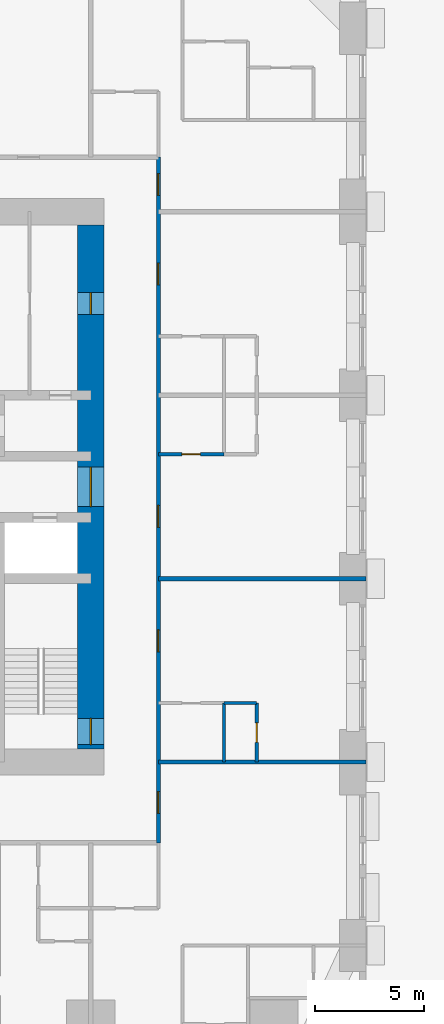
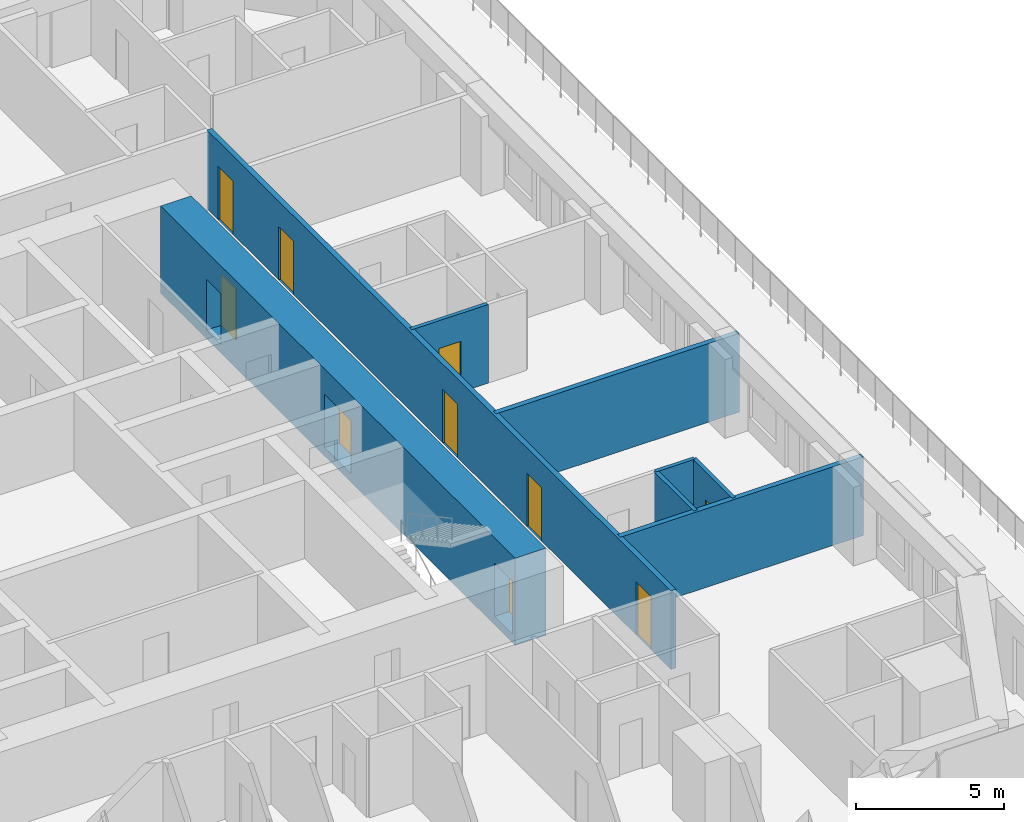
# One storey, part 10 of 16: 10 doors, 8 walls, 10 openings.
"""IFC4 building model written with IfcOpenShell, lengths in metres."""

from ifc_helpers import new_model, si_unit, direction, frame, frame_2d, origin, place, context, subcontext, project, spatial, rectangle, extrude, material, layer, layer_set, type_object, element, fill, save


model = new_model("IFC4")

# Units and contexts
model_context = context("Model", 3, precision=1e-05, world=origin(), true_north=direction((0.0, 1.0)))
body_context = subcontext(model_context, "Body", "Model", "MODEL_VIEW")
ifc_project = project(units=[si_unit("LENGTHUNIT", "METRE"), si_unit("AREAUNIT", "SQUARE_METRE"), si_unit("VOLUMEUNIT", "CUBIC_METRE"), si_unit("PLANEANGLEUNIT", "RADIAN"), si_unit("MASSUNIT", "GRAM", prefix="KILO")], contexts=[model_context])

# Site, building, storey
site_placement = place(None, origin())
site = spatial("IfcSite", under=ifc_project, at=site_placement, CompositionType="ELEMENT")
building_placement = place(site_placement, origin())
building = spatial("IfcBuilding", under=site, at=building_placement, Name="Dunama Terrace Hotel", CompositionType="ELEMENT")
storey_placement = place(building_placement, frame((0.0, 0.0, 93.60009765625)))
storey = spatial("IfcBuildingStorey", under=building, at=storey_placement, Name="L23", CompositionType="ELEMENT", Elevation=93.60009765625)

# Wall, opening, door
ifc_material_1 = material(Name="Gypsum board partition", Category="masonry")
ifc_layer_1 = layer(ifc_material_1, 0.14990234375)
ifc_layer_set_1 = layer_set([ifc_layer_1], Name="Bathroom partition 150")
wall_type_1 = type_object("IfcWallType", Name="Bathroom partition 150", PredefinedType="PARTITIONING", material=ifc_layer_set_1)
wall_1_placement = place(storey_placement, frame((45.10009765625, 30.89990234375, 0.0), z_axis=(0.0, 0.0, 1.0), x_axis=(1.0, 0.0, 0.0)))
wall_1 = element("IfcWall", 1, at=wall_1_placement, inside=storey, type_object=wall_type_1, Name="Bathroom partition 150 L23", PredefinedType="PARTITIONING", context=body_context, shape_type="SweptSolid", body=[
    extrude(rectangle(XDim=3.0, YDim=0.14990234375, at=frame_2d((1.5, 0.0))), origin(), (0.0, 0.0, 1.0), 3.25),
])
opening_1_placement = place(wall_1_placement, frame((1.074951171875, 0.0, 0.0)))
opening_1 = element("IfcOpeningElement", 2, at=opening_1_placement, cuts=wall_1, Name="Opening L23-044", PredefinedType="OPENING", context=body_context, shape_type="SweptSolid", body=[
    extrude(rectangle(XDim=0.85009765625, YDim=2.10009765625, at=frame_2d((0.425048828125, 1.050048828125))), frame((0.0, 0.0849609375, 0.0), z_axis=(0.0, -1.0, 0.0), x_axis=(1.0, 0.0, 0.0)), (0.0, 0.0, 1.0), 0.169921875),
])
ifc_material_2 = material(Name="Timber door with steel frame", Category="steel")
door_type_1 = type_object("IfcDoorType", Name="Bathroom door 850", OperationType="SINGLE_SWING_LEFT", PredefinedType="DOOR", material=ifc_material_2)
door_1_placement = place(opening_1_placement, origin())
door_1 = element("IfcDoor", 3, at=door_1_placement, inside=storey, type_object=door_type_1, Name="Door to en-suite bathroom L23-044, type D2", OperationType="SINGLE_SWING_LEFT", OverallHeight=2.10009765625, OverallWidth=0.85009765625, PredefinedType="DOOR", context=body_context, shape_type="SweptSolid", body=[
    extrude(rectangle(XDim=0.85009765625, YDim=2.10009765625, at=frame_2d((0.425048828125, 1.050048828125))), frame((0.0, 0.02490234375, 0.0), z_axis=(0.0, -1.0, 0.0), x_axis=(1.0, 0.0, 0.0)), (0.0, 0.0, 1.0), 0.050048828125),
])
fill(opening_1, door_1)

# Wall, openings, doors
ifc_material_3 = material(Name="Concrete C60/75", Category="concrete")
ifc_layer_2 = layer(ifc_material_3, 1.199951171875)
ifc_layer_set_2 = layer_set([ifc_layer_2], Name="Core wall 1200")
wall_type_2 = type_object("IfcWallType", Name="Core wall 1200", PredefinedType="SHEAR", material=ifc_layer_set_2)
wall_2_placement = place(storey_placement, frame((42.0, 17.39990234375, -0.35009765625), z_axis=(0.0, 0.0, 1.0), x_axis=(0.0, 1.0, 0.0)))
wall_2 = element("IfcWall", 4, at=wall_2_placement, inside=storey, type_object=wall_type_2, Name="Core wall east L23", PredefinedType="SHEAR", context=body_context, shape_type="SweptSolid", body=[
    extrude(rectangle(XDim=24.0, YDim=1.199951171875, at=frame_2d((12.0, 0.0))), origin(), (0.0, 0.0, 1.0), 3.60009765625),
])
opening_2_placement = place(wall_2_placement, frame((0.199951171875, 0.0, 0.35009765625)))
opening_2 = element("IfcOpeningElement", 5, at=opening_2_placement, cuts=wall_2, Name="Opening L23-016", PredefinedType="OPENING", context=body_context, shape_type="SweptSolid", body=[
    extrude(rectangle(XDim=1.199951171875, YDim=2.199951171875, at=frame_2d((0.60009765625, 1.10009765625))), frame((0.0, 0.60986328125, 0.0), z_axis=(0.0, -1.0, 0.0), x_axis=(1.0, 0.0, 0.0)), (0.0, 0.0, 1.0), 1.219970703125),
])
opening_3_placement = place(wall_2_placement, frame((11.10009765625, 0.0, 0.35009765625)))
opening_3 = element("IfcOpeningElement", 6, at=opening_3_placement, cuts=wall_2, Name="Opening L23-099", PredefinedType="OPENING", context=body_context, shape_type="SweptSolid", body=[
    extrude(rectangle(XDim=1.800048828125, YDim=2.199951171875, at=frame_2d((0.89990234375, 1.10009765625))), frame((0.0, 0.60986328125, 0.0), z_axis=(0.0, -1.0, 0.0), x_axis=(1.0, 0.0, 0.0)), (0.0, 0.0, 1.0), 1.219970703125),
])
opening_4_placement = place(wall_2_placement, frame((19.89990234375, 0.0, 0.35009765625)))
opening_4 = element("IfcOpeningElement", 7, at=opening_4_placement, cuts=wall_2, Name="Opening L23-101", PredefinedType="OPENING", context=body_context, shape_type="SweptSolid", body=[
    extrude(rectangle(XDim=1.0, YDim=2.10009765625, at=frame_2d((0.5, 1.050048828125))), frame((0.0, 0.60986328125, 0.0), z_axis=(0.0, -1.0, 0.0), x_axis=(1.0, 0.0, 0.0)), (0.0, 0.0, 1.0), 1.219970703125),
])
ifc_material_4 = material(Name="Timber door with steel frame", Category="steel")
door_type_2 = type_object("IfcDoorType", Name="Lift lobby double door 1800", OperationType="DOUBLE_DOOR_DOUBLE_SWING", PredefinedType="DOOR", material=ifc_material_4)
door_2_placement = place(opening_3_placement, origin())
door_2 = element("IfcDoor", 8, at=door_2_placement, inside=storey, type_object=door_type_2, Name="Door to lift lobby L23-099, type D3", OperationType="DOUBLE_DOOR_DOUBLE_SWING", OverallHeight=2.199951171875, OverallWidth=1.800048828125, PredefinedType="DOOR", context=body_context, shape_type="SweptSolid", body=[
    extrude(rectangle(XDim=1.800048828125, YDim=2.199951171875, at=frame_2d((0.89990234375, 1.10009765625))), frame((0.0, 0.02490234375, 0.0), z_axis=(0.0, -1.0, 0.0), x_axis=(1.0, 0.0, 0.0)), (0.0, 0.0, 1.0), 0.050048828125),
])
fill(opening_3, door_2)
ifc_material_5 = material(Name="Timber door with steel frame", Category="steel")
door_type_3 = type_object("IfcDoorType", Name="Service door 1000", OperationType="SINGLE_SWING_LEFT", PredefinedType="DOOR", material=ifc_material_5)
door_3_placement = place(opening_4_placement, origin())
door_3 = element("IfcDoor", 9, at=door_3_placement, inside=storey, type_object=door_type_3, Name="Door to housekeeping store L23-101, type D7", OperationType="SINGLE_SWING_LEFT", OverallHeight=2.10009765625, OverallWidth=1.0, PredefinedType="DOOR", context=body_context, shape_type="SweptSolid", body=[
    extrude(rectangle(XDim=1.0, YDim=2.10009765625, at=frame_2d((0.5, 1.050048828125))), frame((0.0, 0.02490234375, 0.0), z_axis=(0.0, -1.0, 0.0), x_axis=(1.0, 0.0, 0.0)), (0.0, 0.0, 1.0), 0.050048828125),
])
fill(opening_4, door_3)
ifc_material_6 = material(Name="Timber door with steel frame", Category="steel")
door_type_4 = type_object("IfcDoorType", Name="Stair door 1200", OperationType="SINGLE_SWING_LEFT", PredefinedType="DOOR", material=ifc_material_6)
door_4_placement = place(opening_2_placement, origin())
door_4 = element("IfcDoor", 10, at=door_4_placement, inside=storey, type_object=door_type_4, Name="Stair door ST2 L23-016, type D5", OperationType="SINGLE_SWING_LEFT", OverallHeight=2.199951171875, OverallWidth=1.199951171875, PredefinedType="DOOR", context=body_context, shape_type="SweptSolid", body=[
    extrude(rectangle(XDim=1.199951171875, YDim=2.199951171875, at=frame_2d((0.60009765625, 1.10009765625))), frame((0.0, 0.02490234375, 0.0), z_axis=(0.0, -1.0, 0.0), x_axis=(1.0, 0.0, 0.0)), (0.0, 0.0, 1.0), 0.050048828125),
])
fill(opening_2, door_4)

ifc_material_7 = material(Name="Concrete blockwork", Category="masonry")
ifc_layer_3 = layer(ifc_material_7, 0.199951171875)
ifc_layer_set_3 = layer_set([ifc_layer_3], Name="Corridor partition 200")
wall_type_3 = type_object("IfcWallType", Name="Corridor partition 200", PredefinedType="PARTITIONING", material=ifc_layer_set_3)
wall_3_placement = place(storey_placement, frame((45.10009765625, 44.5, 0.0), z_axis=(0.0, 0.0, 1.0), x_axis=(0.0, -1.0, 0.0)))
wall_3 = element("IfcWall", 11, at=wall_3_placement, inside=storey, type_object=wall_type_3, Name="Corridor partition 200 L23", PredefinedType="PARTITIONING", context=body_context, shape_type="SweptSolid", body=[
    extrude(rectangle(XDim=31.39990234375, YDim=0.199951171875, at=frame_2d((15.699951171875, 0.0))), origin(), (0.0, 0.0, 1.0), 3.25),
])
opening_5_placement = place(wall_3_placement, frame((21.64990234375, 0.0, 0.0)))
opening_5 = element("IfcOpeningElement", 12, at=opening_5_placement, cuts=wall_3, Name="Opening L23-040", PredefinedType="OPENING", context=body_context, shape_type="SweptSolid", body=[
    extrude(rectangle(XDim=1.0, YDim=2.199951171875, at=frame_2d((0.5, 1.10009765625))), frame((0.0, 0.10986328125, 0.0), z_axis=(0.0, -1.0, 0.0), x_axis=(1.0, 0.0, 0.0)), (0.0, 0.0, 1.0), 0.219970703125),
])
opening_6_placement = place(wall_3_placement, frame((15.949951171875, 0.0, 0.0)))
opening_6 = element("IfcOpeningElement", 13, at=opening_6_placement, cuts=wall_3, Name="Opening L23-043", PredefinedType="OPENING", context=body_context, shape_type="SweptSolid", body=[
    extrude(rectangle(XDim=1.0, YDim=2.199951171875, at=frame_2d((0.5, 1.10009765625))), frame((0.0, 0.10986328125, 0.0), z_axis=(0.0, -1.0, 0.0), x_axis=(1.0, 0.0, 0.0)), (0.0, 0.0, 1.0), 0.219970703125),
])
opening_7_placement = place(wall_3_placement, frame((4.85009765625, 0.0, 0.0)))
opening_7 = element("IfcOpeningElement", 14, at=opening_7_placement, cuts=wall_3, Name="Opening L23-046", PredefinedType="OPENING", context=body_context, shape_type="SweptSolid", body=[
    extrude(rectangle(XDim=1.0, YDim=2.199951171875, at=frame_2d((0.5, 1.10009765625))), frame((0.0, 0.10986328125, 0.0), z_axis=(0.0, -1.0, 0.0), x_axis=(1.0, 0.0, 0.0)), (0.0, 0.0, 1.0), 0.219970703125),
])
opening_8_placement = place(wall_3_placement, frame((29.050048828125, 0.0, 0.0)))
opening_8 = element("IfcOpeningElement", 15, at=opening_8_placement, cuts=wall_3, Name="Opening L23-077", PredefinedType="OPENING", context=body_context, shape_type="SweptSolid", body=[
    extrude(rectangle(XDim=1.0, YDim=2.199951171875, at=frame_2d((0.5, 1.10009765625))), frame((0.0, 0.10986328125, 0.0), z_axis=(0.0, -1.0, 0.0), x_axis=(1.0, 0.0, 0.0)), (0.0, 0.0, 1.0), 0.219970703125),
])
opening_9_placement = place(wall_3_placement, frame((0.75, 0.0, 0.0)))
opening_9 = element("IfcOpeningElement", 16, at=opening_9_placement, cuts=wall_3, Name="Opening L23-082", PredefinedType="OPENING", context=body_context, shape_type="SweptSolid", body=[
    extrude(rectangle(XDim=1.0, YDim=2.199951171875, at=frame_2d((0.5, 1.10009765625))), frame((0.0, 0.10986328125, 0.0), z_axis=(0.0, -1.0, 0.0), x_axis=(1.0, 0.0, 0.0)), (0.0, 0.0, 1.0), 0.219970703125),
])
ifc_material_8 = material(Name="Timber door with steel frame", Category="steel")
door_type_5 = type_object("IfcDoorType", Name="Guest room door 1000", OperationType="SINGLE_SWING_LEFT", PredefinedType="DOOR", material=ifc_material_8)
door_5_placement = place(opening_5_placement, origin())
door_5 = element("IfcDoor", 17, at=door_5_placement, inside=storey, type_object=door_type_5, Name="Door to terrace junior suite L23-040, type D1", OperationType="SINGLE_SWING_LEFT", OverallHeight=2.199951171875, OverallWidth=1.0, PredefinedType="DOOR", context=body_context, shape_type="SweptSolid", body=[
    extrude(rectangle(XDim=1.0, YDim=2.199951171875, at=frame_2d((0.5, 1.10009765625))), frame((0.0, 0.02490234375, 0.0), z_axis=(0.0, -1.0, 0.0), x_axis=(1.0, 0.0, 0.0)), (0.0, 0.0, 1.0), 0.050048828125),
])
fill(opening_5, door_5)
door_6_placement = place(opening_6_placement, origin())
door_6 = element("IfcDoor", 18, at=door_6_placement, inside=storey, type_object=door_type_5, Name="Door to terrace junior suite L23-043, type D1", OperationType="SINGLE_SWING_RIGHT", OverallHeight=2.199951171875, OverallWidth=1.0, PredefinedType="DOOR", context=body_context, shape_type="SweptSolid", body=[
    extrude(rectangle(XDim=1.0, YDim=2.199951171875, at=frame_2d((0.5, 1.10009765625))), frame((0.0, 0.02490234375, 0.0), z_axis=(0.0, -1.0, 0.0), x_axis=(1.0, 0.0, 0.0)), (0.0, 0.0, 1.0), 0.050048828125),
])
fill(opening_6, door_6)
door_7_placement = place(opening_7_placement, origin())
door_7 = element("IfcDoor", 19, at=door_7_placement, inside=storey, type_object=door_type_5, Name="Door to terrace junior suite L23-046, type D1", OperationType="SINGLE_SWING_LEFT", OverallHeight=2.199951171875, OverallWidth=1.0, PredefinedType="DOOR", context=body_context, shape_type="SweptSolid", body=[
    extrude(rectangle(XDim=1.0, YDim=2.199951171875, at=frame_2d((0.5, 1.10009765625))), frame((0.0, 0.02490234375, 0.0), z_axis=(0.0, -1.0, 0.0), x_axis=(1.0, 0.0, 0.0)), (0.0, 0.0, 1.0), 0.050048828125),
])
fill(opening_7, door_7)
door_8_placement = place(opening_8_placement, origin())
door_8 = element("IfcDoor", 20, at=door_8_placement, inside=storey, type_object=door_type_5, Name="Door to corner suite living room L23-077, type D1", OperationType="SINGLE_SWING_LEFT", OverallHeight=2.199951171875, OverallWidth=1.0, PredefinedType="DOOR", context=body_context, shape_type="SweptSolid", body=[
    extrude(rectangle(XDim=1.0, YDim=2.199951171875, at=frame_2d((0.5, 1.10009765625))), frame((0.0, 0.02490234375, 0.0), z_axis=(0.0, -1.0, 0.0), x_axis=(1.0, 0.0, 0.0)), (0.0, 0.0, 1.0), 0.050048828125),
])
fill(opening_8, door_8)
door_9_placement = place(opening_9_placement, origin())
door_9 = element("IfcDoor", 21, at=door_9_placement, inside=storey, type_object=door_type_5, Name="Door to corner suite living room L23-082, type D1", OperationType="SINGLE_SWING_LEFT", OverallHeight=2.199951171875, OverallWidth=1.0, PredefinedType="DOOR", context=body_context, shape_type="SweptSolid", body=[
    extrude(rectangle(XDim=1.0, YDim=2.199951171875, at=frame_2d((0.5, 1.10009765625))), frame((0.0, 0.02490234375, 0.0), z_axis=(0.0, -1.0, 0.0), x_axis=(1.0, 0.0, 0.0)), (0.0, 0.0, 1.0), 0.050048828125),
])
fill(opening_9, door_9)

# Walls
ifc_material_9 = material(Name="Concrete blockwork", Category="masonry")
ifc_layer_4 = layer(ifc_material_9, 0.199951171875)
ifc_layer_set_4 = layer_set([ifc_layer_4], Name="Party wall 200")
wall_type_4 = type_object("IfcWallType", Name="Party wall 200", PredefinedType="PARTITIONING", material=ifc_layer_set_4)
for number, where, z_axis, x_axis, name in (
    (22, (45.10009765625, 16.800048828125, 0.0), (0.0, 0.0, 1.0), (1.0, 0.0, 0.0), "Party wall 200 L23"),
    (23, (45.10009765625, 25.199951171875, 0.0), (0.0, 0.0, 1.0), (1.0, 0.0, 0.0), "Party wall 200 L23"),
):
    element("IfcWall", number, at=place(storey_placement, frame(where, z_axis=z_axis, x_axis=x_axis)), inside=storey, type_object=wall_type_4, Name=name, PredefinedType="PARTITIONING", context=body_context, shape_type="SweptSolid", body=[
        extrude(rectangle(XDim=9.5, YDim=0.199951171875, at=frame_2d((4.75, 0.0))), origin(), (0.0, 0.0, 1.0), 3.25),
    ])
ifc_material_10 = material(Name="Gypsum board partition", Category="masonry")
ifc_layer_5 = layer(ifc_material_10, 0.14990234375)
ifc_layer_set_5 = layer_set([ifc_layer_5], Name="Room partition 150")
wall_type_5 = type_object("IfcWallType", Name="Room partition 150", PredefinedType="PARTITIONING", material=ifc_layer_set_5)
wall_4_placement = place(storey_placement, frame((48.10009765625, 16.800048828125, 0.0), z_axis=(0.0, 0.0, 1.0), x_axis=(0.0, 1.0, 0.0)))
element("IfcWall", 24, at=wall_4_placement, inside=storey, type_object=wall_type_5, Name="Room partition 150 L23", PredefinedType="PARTITIONING", context=body_context, shape_type="SweptSolid", body=[
    extrude(rectangle(XDim=2.699951171875, YDim=0.14990234375, at=frame_2d((1.35009765625, 0.0))), origin(), (0.0, 0.0, 1.0), 3.25),
])

# Wall, opening, door
wall_5_placement = place(storey_placement, frame((49.60009765625, 16.800048828125, 0.0), z_axis=(0.0, 0.0, 1.0), x_axis=(0.0, 1.0, 0.0)))
wall_5 = element("IfcWall", 25, at=wall_5_placement, inside=storey, type_object=wall_type_5, Name="Room partition 150 L23", PredefinedType="PARTITIONING", context=body_context, shape_type="SweptSolid", body=[
    extrude(rectangle(XDim=2.699951171875, YDim=0.14990234375, at=frame_2d((1.35009765625, 0.0))), origin(), (0.0, 0.0, 1.0), 3.25),
])
opening_10_placement = place(wall_5_placement, frame((0.89990234375, 0.0, 0.0)))
opening_10 = element("IfcOpeningElement", 26, at=opening_10_placement, cuts=wall_5, Name="Opening L23-042", PredefinedType="OPENING", context=body_context, shape_type="SweptSolid", body=[
    extrude(rectangle(XDim=0.89990234375, YDim=2.10009765625, at=frame_2d((0.449951171875, 1.050048828125))), frame((0.0, 0.0849609375, 0.0), z_axis=(0.0, -1.0, 0.0), x_axis=(1.0, 0.0, 0.0)), (0.0, 0.0, 1.0), 0.169921875),
])
ifc_material_11 = material(Name="Timber door with steel frame", Category="steel")
door_type_6 = type_object("IfcDoorType", Name="Suite internal door 900", OperationType="SINGLE_SWING_LEFT", PredefinedType="DOOR", material=ifc_material_11)
door_10_placement = place(opening_10_placement, origin())
door_10 = element("IfcDoor", 27, at=door_10_placement, inside=storey, type_object=door_type_6, Name="Door to walk-in wardrobe L23-042, type D16", OperationType="SINGLE_SWING_LEFT", OverallHeight=2.10009765625, OverallWidth=0.89990234375, PredefinedType="DOOR", context=body_context, shape_type="SweptSolid", body=[
    extrude(rectangle(XDim=0.89990234375, YDim=2.10009765625, at=frame_2d((0.449951171875, 1.050048828125))), frame((0.0, 0.02490234375, 0.0), z_axis=(0.0, -1.0, 0.0), x_axis=(1.0, 0.0, 0.0)), (0.0, 0.0, 1.0), 0.050048828125),
])
fill(opening_10, door_10)

# Wall
wall_6_placement = place(storey_placement, frame((48.10009765625, 19.5, 0.0), z_axis=(0.0, 0.0, 1.0), x_axis=(1.0, 0.0, 0.0)))
element("IfcWall", 28, at=wall_6_placement, inside=storey, type_object=wall_type_5, Name="Room partition 150 L23", PredefinedType="PARTITIONING", context=body_context, shape_type="SweptSolid", body=[
    extrude(rectangle(XDim=1.5, YDim=0.14990234375, at=frame_2d((0.75, 0.0))), origin(), (0.0, 0.0, 1.0), 3.25),
])

save(model, "model.ifc")
